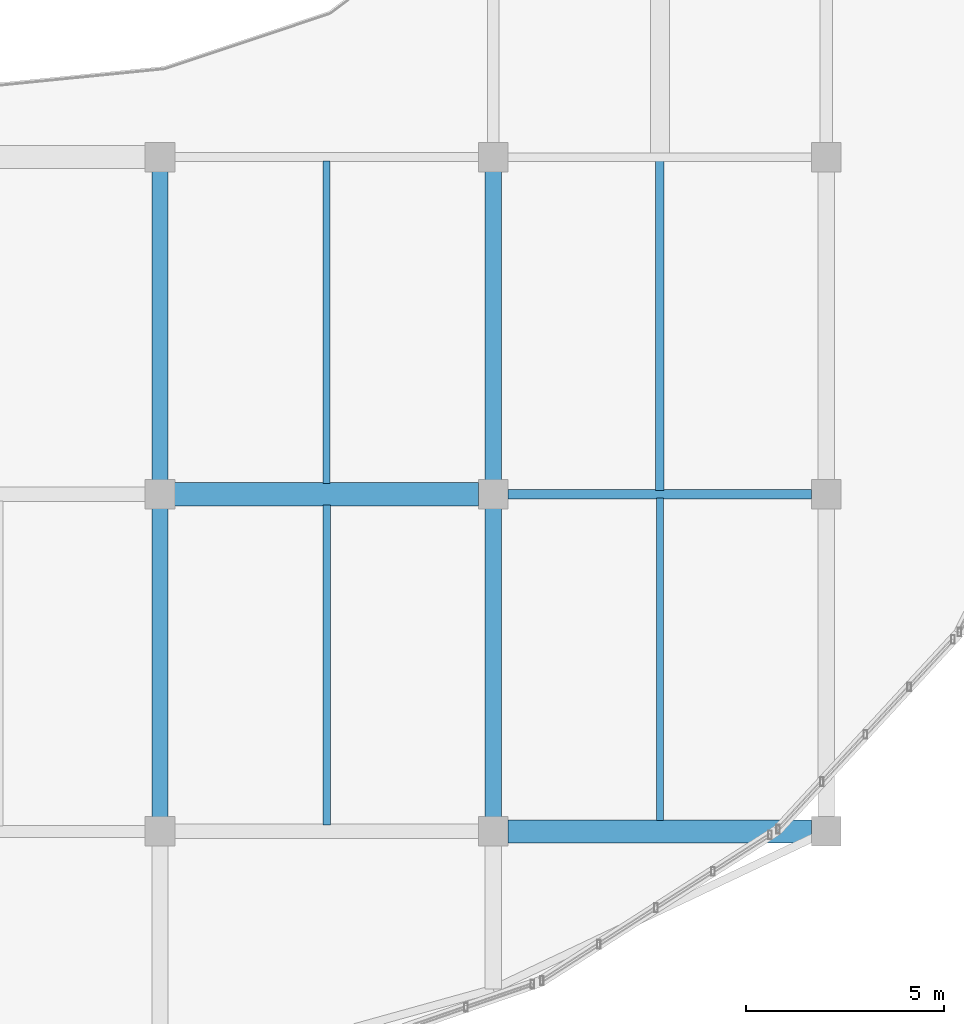
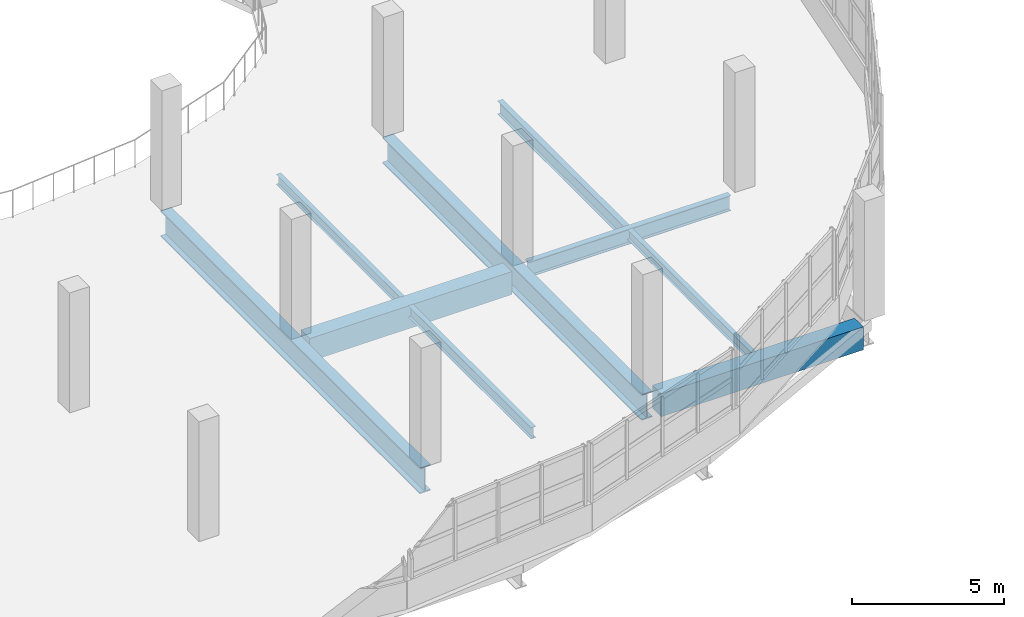
# One storey, part 19 of 77: 9 beams.
"""IFC4 building model written with IfcOpenShell, lengths in metres."""

from ifc_helpers import new_model, si_unit, direction, frame, origin, origin_2d, place, context, subcontext, project, spatial, rectangle, i_section, extrude, material, material_profile, profile_set, type_object, element, save


model = new_model("IFC4")

# Units and contexts
model_context = context("Model", 3, precision=1e-05, world=origin(), true_north=direction((0.0, 1.0)))
body_context = subcontext(model_context, "Body", "Model", "MODEL_VIEW")
ifc_project = project(units=[si_unit("LENGTHUNIT", "METRE"), si_unit("AREAUNIT", "SQUARE_METRE"), si_unit("VOLUMEUNIT", "CUBIC_METRE"), si_unit("PLANEANGLEUNIT", "RADIAN"), si_unit("MASSUNIT", "GRAM", prefix="KILO")], contexts=[model_context])

# Site, building, storey
site_placement = place(None, origin())
site = spatial("IfcSite", under=ifc_project, at=site_placement, CompositionType="ELEMENT")
building_placement = place(site_placement, origin())
building = spatial("IfcBuilding", under=site, at=building_placement, Name="Solvento Point Concert Hall", CompositionType="ELEMENT")
storey_placement = place(building_placement, frame((0.0, 0.0, 10.199951171875)))
storey = spatial("IfcBuildingStorey", under=building, at=storey_placement, Name="L02", CompositionType="ELEMENT", Elevation=10.199951171875)

# Beams
ifc_material_1 = material(Name="Structural Steel ASTM A992 Grade 50", Category="steel")
ifc_material_profile_1 = material_profile(ifc_material_1, i_section(OverallWidth=0.20947265625, OverallDepth=0.532958984375, WebThickness=0.01025390625, FlangeThickness=0.015625, at=origin_2d()), Name="W21X62")
ifc_profile_set_1 = profile_set([ifc_material_profile_1], Name="Structural Steel ASTM A992 Grade 50")
beam_type_1 = type_object("IfcBeamType", Name="Beam_W21X62", PredefinedType="BEAM", material=ifc_profile_set_1)
beam_1_placement = place(storey_placement, frame((78.60009765625, 25.59912109375, -0.54052734375), z_axis=(0.0, 1.0, 0.0), x_axis=(-1.0, 0.0, 0.0)))
element("IfcBeam", 1, at=beam_1_placement, inside=storey, type_object=beam_type_1, Name="Secondary floor joist B-25 L02", PredefinedType="BEAM", context=body_context, shape_type="SweptSolid", body=[
    extrude(i_section(OverallWidth=0.20947265625, OverallDepth=0.532958984375, WebThickness=0.01025390625, FlangeThickness=0.015625, at=origin_2d()), origin(), (0.0, 0.0, 1.0), 8.308837890625),
])
ifc_material_2 = material(Name="Structural Steel ASTM A992 Grade 50", Category="steel")
ifc_material_profile_2 = material_profile(ifc_material_2, i_section(OverallWidth=0.228515625, OverallDepth=0.60791015625, WebThickness=0.01123046875, FlangeThickness=0.017333984375, at=origin_2d()), Name="W24X76")
ifc_profile_set_2 = profile_set([ifc_material_profile_2], Name="Structural Steel ASTM A992 Grade 50")
beam_type_2 = type_object("IfcBeamType", Name="Beam_W24X76", PredefinedType="BEAM", material=ifc_profile_set_2)
beam_2_placement = place(storey_placement, frame((74.76904296875, 25.5, -0.577880859375), z_axis=(1.0, 0.0, 0.0), x_axis=(0.0, 1.0, 0.0)))
element("IfcBeam", 2, at=beam_2_placement, inside=storey, type_object=beam_type_2, Name="Primary girder B-42 L02", PredefinedType="BEAM", context=body_context, shape_type="SweptSolid", body=[
    extrude(i_section(OverallWidth=0.228515625, OverallDepth=0.60791015625, WebThickness=0.01123046875, FlangeThickness=0.017333984375, at=origin_2d()), origin(), (0.0, 0.0, 1.0), 7.661865234375),
])
ifc_material_3 = material(Name="Structural Steel ASTM A992 Grade 50", Category="steel")
ifc_material_profile_3 = material_profile(ifc_material_3, i_section(OverallWidth=0.408935546875, OverallDepth=1.041015625, WebThickness=0.031005859375, FlangeThickness=0.04443359375, at=origin_2d()), Name="W40X397")
ifc_profile_set_3 = profile_set([ifc_material_profile_3], Name="Structural Steel ASTM A992 Grade 50")
beam_type_3 = type_object("IfcBeamType", Name="CantileverGirder_W40X397", PredefinedType="USERDEFINED", material=ifc_profile_set_3)
for number, where, z_axis, x_axis, name in (
    (3, (66.0, 34.0, -0.79541015625), (0.0, -1.0, 0.0), (1.0, 0.0, 0.0), "Radial back-span girder CG-01 L02"),
    (4, (74.39990234375, 34.0, -0.79541015625), (0.0, -1.0, 0.0), (1.0, 0.0, 0.0), "Radial back-span girder CG-01 L02"),
):
    element("IfcBeam", number, at=place(storey_placement, frame(where, z_axis=z_axis, x_axis=x_axis)), inside=storey, type_object=beam_type_3, Name=name, ObjectType="GIRDER", PredefinedType="USERDEFINED", context=body_context, shape_type="SweptSolid", body=[
        extrude(i_section(OverallWidth=0.408935546875, OverallDepth=1.041015625, WebThickness=0.031005859375, FlangeThickness=0.04443359375, at=origin_2d()), origin(), (0.0, 0.0, 1.0), 17.0),
    ])
ifc_material_4 = material(Name="Concrete C35/45", Category="concrete")
ifc_material_profile_4 = material_profile(ifc_material_4, rectangle(XDim=0.580078125, YDim=0.919921875, at=origin_2d()), Name="RC-BM-580X920")
ifc_profile_set_4 = profile_set([ifc_material_profile_4], Name="Concrete C35/45")
beam_type_4 = type_object("IfcBeamType", Name="Girder_RC_580x920", PredefinedType="USERDEFINED", material=ifc_profile_set_4)
beam_3_placement = place(storey_placement, frame((74.76904296875, 17.0, -0.73388671875), z_axis=(1.0, 0.0, 0.0), x_axis=(0.0, 1.0, 0.0)))
element("IfcBeam", 5, at=beam_3_placement, inside=storey, type_object=beam_type_4, Name="Primary girder B-95 L02", ObjectType="GIRDER", PredefinedType="USERDEFINED", context=body_context, shape_type="SweptSolid", body=[
    extrude(rectangle(XDim=0.580078125, YDim=0.919921875, at=origin_2d()), origin(), (0.0, 0.0, 1.0), 7.661865234375),
])
beam_4_placement = place(storey_placement, frame((66.368896484375, 25.5, -0.73388671875), z_axis=(1.0, 0.0, 0.0), x_axis=(0.0, 1.0, 0.0)))
element("IfcBeam", 6, at=beam_4_placement, inside=storey, type_object=beam_type_4, Name="Primary girder B-95 L02", ObjectType="GIRDER", PredefinedType="USERDEFINED", context=body_context, shape_type="SweptSolid", body=[
    extrude(rectangle(XDim=0.580078125, YDim=0.919921875, at=origin_2d()), origin(), (0.0, 0.0, 1.0), 7.662109375),
])
ifc_material_5 = material(Name="Structural Steel ASTM A992 Grade 50", Category="steel")
ifc_material_profile_5 = material_profile(ifc_material_5, i_section(OverallWidth=0.177490234375, OverallDepth=0.403076171875, WebThickness=0.007568359375, FlangeThickness=0.010986328125, at=origin_2d()), Name="W16X36")
ifc_profile_set_5 = profile_set([ifc_material_profile_5], Name="Structural Steel ASTM A992 Grade 50")
beam_type_5 = type_object("IfcBeamType", Name="Joist_W16X36", PredefinedType="JOIST", material=ifc_profile_set_5)
for number, where, z_axis, x_axis, name in (
    (7, (70.199951171875, 25.77490234375, -0.475341796875), (0.0, 1.0, 0.0), (-1.0, 0.0, 0.0), "Secondary floor joist B-30 L02"),
    (8, (78.60009765625, 17.27490234375, -0.475341796875), (0.0, 1.0, 0.0), (-1.0, 0.0, 0.0), "Secondary floor joist B-30 L02"),
):
    element("IfcBeam", number, at=place(storey_placement, frame(where, z_axis=z_axis, x_axis=x_axis)), inside=storey, type_object=beam_type_5, Name=name, PredefinedType="JOIST", context=body_context, shape_type="SweptSolid", body=[
        extrude(i_section(OverallWidth=0.177490234375, OverallDepth=0.403076171875, WebThickness=0.007568359375, FlangeThickness=0.010986328125, at=origin_2d()), origin(), (0.0, 0.0, 1.0), 8.1259765625),
    ])
ifc_material_6 = material(Name="Structural Steel ASTM A992 Grade 50", Category="steel")
ifc_material_profile_6 = material_profile(ifc_material_6, i_section(OverallWidth=0.1904296875, OverallDepth=0.45703125, WebThickness=0.009033203125, FlangeThickness=0.014404296875, at=origin_2d()), Name="W18X50")
ifc_profile_set_6 = profile_set([ifc_material_profile_6], Name="Structural Steel ASTM A992 Grade 50")
beam_type_6 = type_object("IfcBeamType", Name="Joist_W18X50", PredefinedType="JOIST", material=ifc_profile_set_6)
beam_5_placement = place(storey_placement, frame((70.199951171875, 17.16552734375, -0.50244140625), z_axis=(0.0, 1.0, 0.0), x_axis=(-1.0, 0.0, 0.0)))
element("IfcBeam", 9, at=beam_5_placement, inside=storey, type_object=beam_type_6, Name="Secondary floor joist B-66 L02", PredefinedType="JOIST", context=body_context, shape_type="SweptSolid", body=[
    extrude(i_section(OverallWidth=0.1904296875, OverallDepth=0.45703125, WebThickness=0.009033203125, FlangeThickness=0.014404296875, at=origin_2d()), origin(), (0.0, 0.0, 1.0), 8.0595703125),
])

save(model, "model.ifc")
